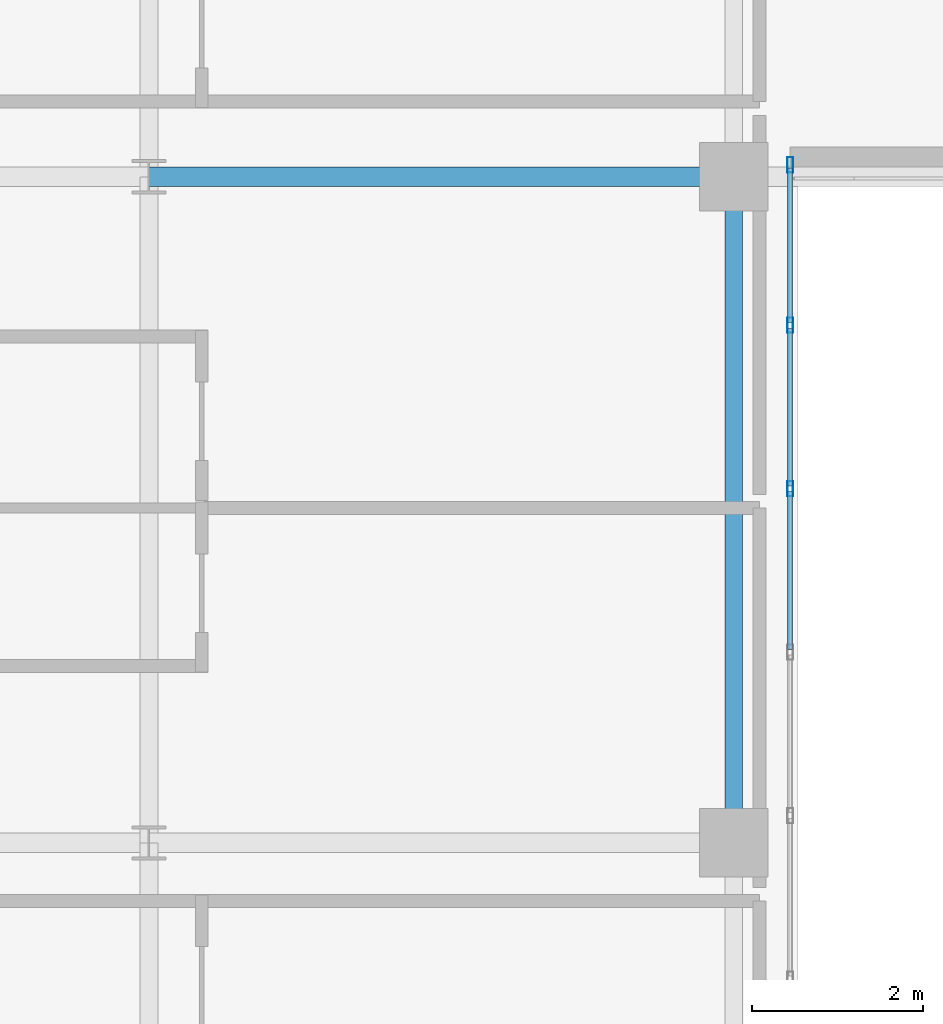
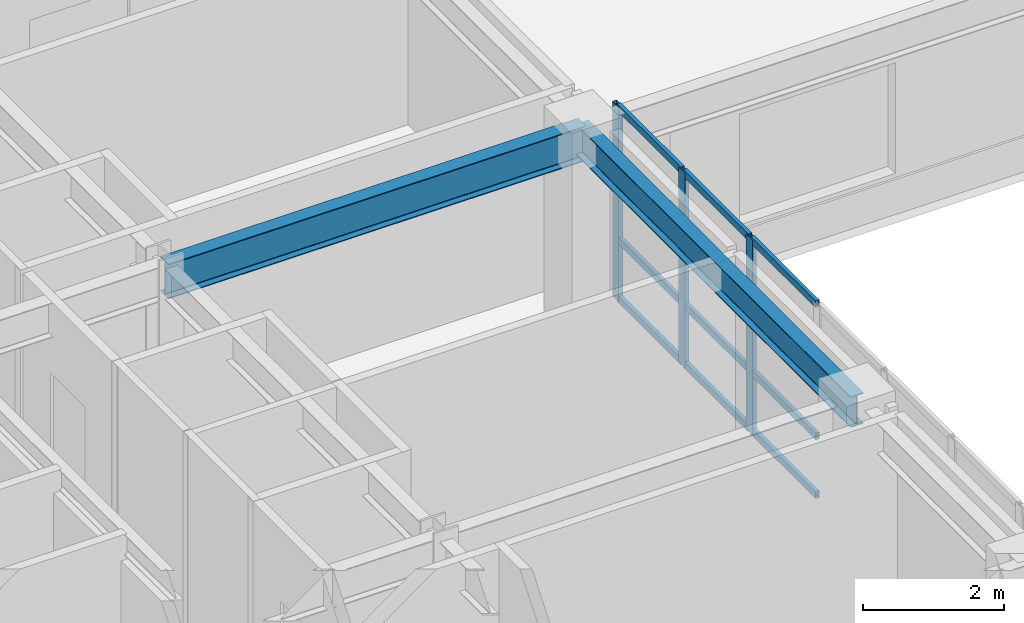
# One storey, part 5 of 21: 12 members, 2 beams, 1 element without a shape of its own.
"""IFC4 building model written with IfcOpenShell, lengths in metres."""

from ifc_helpers import new_model, si_unit, direction, frame, origin, origin_2d, place, context, subcontext, project, spatial, hollow_rectangle, i_section, extrude, source, transform, mapped, material, layer, layer_set, material_profile, profile_set, type_object, type_shapes, element, aggregate, save


model = new_model("IFC4")

# Units and contexts
model_context = context("Model", 3, precision=1e-05, world=origin(), true_north=direction((0.0, 1.0)))
body_context = subcontext(model_context, "Body", "Model", "MODEL_VIEW")
ifc_project = project(units=[si_unit("LENGTHUNIT", "METRE"), si_unit("AREAUNIT", "SQUARE_METRE"), si_unit("VOLUMEUNIT", "CUBIC_METRE"), si_unit("PLANEANGLEUNIT", "RADIAN"), si_unit("MASSUNIT", "GRAM", prefix="KILO")], contexts=[model_context])

# Site, building, storey
site_placement = place(None, origin())
site = spatial("IfcSite", under=ifc_project, at=site_placement, CompositionType="ELEMENT")
building_placement = place(site_placement, origin())
building = spatial("IfcBuilding", under=site, at=building_placement, Name="Tolvann Quenvar Hotel", CompositionType="ELEMENT")
storey_placement = place(building_placement, frame((0.0, 0.0, 161.25)))
storey = spatial("IfcBuildingStorey", under=building, at=storey_placement, Name="L42", CompositionType="ELEMENT", Elevation=161.25)

# Beams
ifc_material_1 = material(Name="Steel Grade 350", Category="steel")
ifc_material_profile_1 = material_profile(ifc_material_1, i_section(OverallWidth=0.208984375, OverallDepth=0.532958984375, WebThickness=0.01025390625, FlangeThickness=0.015625, FilletRadius=0.013916015625, at=origin_2d()), Name="530UB92")
ifc_profile_set_1 = profile_set([ifc_material_profile_1], Name="Steel Grade 350")
beam_type_1 = type_object("IfcBeamType", Name="BM_GIRD_530UB92", PredefinedType="BEAM", material=ifc_profile_set_1)
shared_shape_1 = source(origin(), body_context, "Body", "SweptSolid", [
    extrude(i_section(OverallWidth=0.208984375, OverallDepth=0.532958984375, WebThickness=0.01025390625, FlangeThickness=0.015625, FilletRadius=0.013916015625, at=origin_2d()), origin(), (0.0, 0.0, 1.0), 7.800048828125),
])
type_shapes(beam_type_1, [shared_shape_1])
beam_1_placement = place(storey_placement, frame((22.050048828125, 8.199951171875, 3.103515625), z_axis=(0.0, 1.0, 0.0), x_axis=(-1.0, 0.0, 0.0)))
element("IfcBeam", 1, at=beam_1_placement, inside=storey, type_object=beam_type_1, Name="BM-L42-NS-E3-E4", PredefinedType="BEAM", context=body_context, shape_type="MappedRepresentation", body=[
    mapped(shared_shape_1, transform((0.0, 0.0, 0.0), x_axis=(1.0, 0.0, 0.0), y_axis=(0.0, 1.0, 0.0), z_axis=(0.0, 0.0, 1.0), scale=1.0)),
])
ifc_material_profile_2 = material_profile(ifc_material_1, i_section(OverallWidth=0.22802734375, OverallDepth=0.60205078125, WebThickness=0.010498046875, FlangeThickness=0.014892578125, FilletRadius=0.013916015625, at=origin_2d()), Name="610UB101")
ifc_profile_set_2 = profile_set([ifc_material_profile_2], Name="Steel Grade 350")
beam_type_2 = type_object("IfcBeamType", Name="BM_GIRD_610UB101", PredefinedType="BEAM", material=ifc_profile_set_2)
shared_shape_2 = source(origin(), body_context, "Body", "SweptSolid", [
    extrude(i_section(OverallWidth=0.22802734375, OverallDepth=0.60205078125, WebThickness=0.010498046875, FlangeThickness=0.014892578125, FilletRadius=0.013916015625, at=origin_2d()), origin(), (0.0, 0.0, 1.0), 6.85009765625),
])
type_shapes(beam_type_2, [shared_shape_2])
beam_2_placement = place(storey_placement, frame((15.199951171875, 16.0, 3.069091796875), z_axis=(1.0, 0.0, 0.0), x_axis=(0.0, 1.0, 0.0)))
element("IfcBeam", 2, at=beam_2_placement, inside=storey, type_object=beam_type_2, Name="BM-L42-EW-4-D4-E4", PredefinedType="BEAM", context=body_context, shape_type="MappedRepresentation", body=[
    mapped(shared_shape_2, transform((0.0, 0.0, 0.0), x_axis=(1.0, 0.0, 0.0), y_axis=(0.0, 1.0, 0.0), z_axis=(0.0, 0.0, 1.0), scale=1.0)),
])

# Curtain wall, members
ifc_material_2 = material(Name="Thermally broken anodised architectural aluminium 6063-T6 and laminated low-E glass", Category="aluminium")
ifc_layer = layer(ifc_material_2, 0.179931640625)
ifc_layer_set = layer_set([ifc_layer], Name="Thermally broken anodised architectural aluminium 6063-T6 and laminated low-E glass")
curtain_wall_type = type_object("IfcCurtainWallType", Name="CW_SYS_SLOT_03", PredefinedType="USERDEFINED", material=ifc_layer_set)
curtain_wall_placement = place(storey_placement, origin())
curtain_wall = element("IfcCurtainWall", 3, at=curtain_wall_placement, inside=storey, type_object=curtain_wall_type, Name="Curtain Wall CW-SLOT-03 (CWR-L42-E05)", ObjectType="UNITISED CURTAIN WALL", PredefinedType="USERDEFINED")
ifc_material_3 = material(Name="Anodised architectural aluminium 6063-T6 framing", Category="aluminium")
ifc_material_profile_3 = material_profile(ifc_material_3, hollow_rectangle(XDim=0.070068359375, YDim=0.179931640625, WallThickness=0.00390625, at=origin_2d()), Name="180x70x4RHS")
ifc_profile_set_3 = profile_set([ifc_material_profile_3], Name="Anodised architectural aluminium 6063-T6 framing")
member_type_1 = type_object("IfcMemberType", Name="CW_MULL_180x70", PredefinedType="MULLION", material=ifc_profile_set_3)
shared_shape_3 = source(origin(), body_context, "Body", "SweptSolid", [
    extrude(hollow_rectangle(XDim=0.070068359375, YDim=0.179931640625, WallThickness=0.00390625, at=origin_2d()), origin(), (0.0, 0.0, 1.0), 3.3701171875),
])
type_shapes(member_type_1, [shared_shape_3])
member_1_placement = place(storey_placement, frame((22.7099609375, 12.346435546875, 0.0), z_axis=(0.0, 0.0, 1.0), x_axis=(-1.0, 0.0, 0.0)))
member_1 = element("IfcMember", 4, at=member_1_placement, type_object=member_type_1, Name="CW-SLOT-03 mullion 6", PredefinedType="MULLION", context=body_context, shape_type="MappedRepresentation", body=[
    mapped(shared_shape_3, transform((0.0, 0.0, 0.0), x_axis=(1.0, 0.0, 0.0), y_axis=(0.0, 1.0, 0.0), z_axis=(0.0, 0.0, 1.0), scale=1.0)),
])
member_2_placement = place(storey_placement, frame((22.7099609375, 14.2607421875, 0.0), z_axis=(0.0, 0.0, 1.0), x_axis=(-1.0, 0.0, 0.0)))
member_2 = element("IfcMember", 5, at=member_2_placement, type_object=member_type_1, Name="CW-SLOT-03 mullion 7", PredefinedType="MULLION", context=body_context, shape_type="MappedRepresentation", body=[
    mapped(shared_shape_3, transform((0.0, 0.0, 0.0), x_axis=(1.0, 0.0, 0.0), y_axis=(0.0, 1.0, 0.0), z_axis=(0.0, 0.0, 1.0), scale=1.0)),
])
member_3_placement = place(storey_placement, frame((22.7099609375, 16.139892578125, 0.0), z_axis=(0.0, 0.0, 1.0), x_axis=(-1.0, 0.0, 0.0)))
member_3 = element("IfcMember", 6, at=member_3_placement, type_object=member_type_1, Name="CW-SLOT-03 mullion 8", PredefinedType="MULLION", context=body_context, shape_type="MappedRepresentation", body=[
    mapped(shared_shape_3, transform((0.0, 0.0, 0.0), x_axis=(1.0, 0.0, 0.0), y_axis=(0.0, 1.0, 0.0), z_axis=(0.0, 0.0, 1.0), scale=1.0)),
])
ifc_material_profile_4 = material_profile(ifc_material_3, hollow_rectangle(XDim=0.06005859375, YDim=0.1201171875, WallThickness=0.00341796875, at=origin_2d()), Name="120x60x3.5RHS")
ifc_profile_set_4 = profile_set([ifc_material_profile_4], Name="Anodised architectural aluminium 6063-T6 framing")
member_type_2 = type_object("IfcMemberType", Name="CW_TRAN_120x60", PredefinedType="USERDEFINED", material=ifc_profile_set_4)
shared_shape_4 = source(origin(), body_context, "Body", "SweptSolid", [
    extrude(hollow_rectangle(XDim=0.06005859375, YDim=0.1201171875, WallThickness=0.00341796875, at=origin_2d()), origin(), (0.0, 0.0, 1.0), 1.809326171875),
])
member_4_placement = place(storey_placement, frame((22.7099609375, 14.295654296875, 0.030029296875), z_axis=(0.0, 1.0, 0.0), x_axis=(-1.0, 0.0, 0.0)))
member_4 = element("IfcMember", 7, at=member_4_placement, type_object=member_type_2, Name="CW-SLOT-03 transom 7.1", ObjectType="TRANSOM", PredefinedType="USERDEFINED", context=body_context, shape_type="MappedRepresentation", body=[
    mapped(shared_shape_4, transform((0.0, 0.0, 0.0), x_axis=(1.0, 0.0, 0.0), y_axis=(0.0, 1.0, 0.0), z_axis=(0.0, 0.0, 1.0), scale=1.0)),
])
member_5_placement = place(storey_placement, frame((22.7099609375, 14.295654296875, 1.050048828125), z_axis=(0.0, 1.0, 0.0), x_axis=(-1.0, 0.0, 0.0)))
member_5 = element("IfcMember", 8, at=member_5_placement, type_object=member_type_2, Name="CW-SLOT-03 transom 7.2", ObjectType="TRANSOM", PredefinedType="USERDEFINED", context=body_context, shape_type="MappedRepresentation", body=[
    mapped(shared_shape_4, transform((0.0, 0.0, 0.0), x_axis=(1.0, 0.0, 0.0), y_axis=(0.0, 1.0, 0.0), z_axis=(0.0, 0.0, 1.0), scale=1.0)),
])
member_6_placement = place(storey_placement, frame((22.7099609375, 14.295654296875, 3.340087890625), z_axis=(0.0, 1.0, 0.0), x_axis=(-1.0, 0.0, 0.0)))
member_6 = element("IfcMember", 9, at=member_6_placement, type_object=member_type_2, Name="CW-SLOT-03 transom 7.3", ObjectType="TRANSOM", PredefinedType="USERDEFINED", context=body_context, shape_type="MappedRepresentation", body=[
    mapped(shared_shape_4, transform((0.0, 0.0, 0.0), x_axis=(1.0, 0.0, 0.0), y_axis=(0.0, 1.0, 0.0), z_axis=(0.0, 0.0, 1.0), scale=1.0)),
])
shared_shape_5 = source(origin(), body_context, "Body", "SweptSolid", [
    extrude(hollow_rectangle(XDim=0.06005859375, YDim=0.1201171875, WallThickness=0.00341796875, at=origin_2d()), origin(), (0.0, 0.0, 1.0), 1.844482421875),
])
type_shapes(member_type_2, [shared_shape_4, shared_shape_5])
member_7_placement = place(storey_placement, frame((22.7099609375, 10.467041015625, 0.030029296875), z_axis=(0.0, 1.0, 0.0), x_axis=(-1.0, 0.0, 0.0)))
member_7 = element("IfcMember", 10, at=member_7_placement, type_object=member_type_2, Name="CW-SLOT-03 transom 5.1", ObjectType="TRANSOM", PredefinedType="USERDEFINED", context=body_context, shape_type="MappedRepresentation", body=[
    mapped(shared_shape_5, transform((0.0, 0.0, 0.0), x_axis=(1.0, 0.0, 0.0), y_axis=(0.0, 1.0, 0.0), z_axis=(0.0, 0.0, 1.0), scale=1.0)),
])
member_8_placement = place(storey_placement, frame((22.7099609375, 10.467041015625, 1.050048828125), z_axis=(0.0, 1.0, 0.0), x_axis=(-1.0, 0.0, 0.0)))
member_8 = element("IfcMember", 11, at=member_8_placement, type_object=member_type_2, Name="CW-SLOT-03 transom 5.2", ObjectType="TRANSOM", PredefinedType="USERDEFINED", context=body_context, shape_type="MappedRepresentation", body=[
    mapped(shared_shape_5, transform((0.0, 0.0, 0.0), x_axis=(1.0, 0.0, 0.0), y_axis=(0.0, 1.0, 0.0), z_axis=(0.0, 0.0, 1.0), scale=1.0)),
])
member_9_placement = place(storey_placement, frame((22.7099609375, 10.467041015625, 3.340087890625), z_axis=(0.0, 1.0, 0.0), x_axis=(-1.0, 0.0, 0.0)))
member_9 = element("IfcMember", 12, at=member_9_placement, type_object=member_type_2, Name="CW-SLOT-03 transom 5.3", ObjectType="TRANSOM", PredefinedType="USERDEFINED", context=body_context, shape_type="MappedRepresentation", body=[
    mapped(shared_shape_5, transform((0.0, 0.0, 0.0), x_axis=(1.0, 0.0, 0.0), y_axis=(0.0, 1.0, 0.0), z_axis=(0.0, 0.0, 1.0), scale=1.0)),
])
member_10_placement = place(storey_placement, frame((22.7099609375, 12.38134765625, 0.030029296875), z_axis=(0.0, 1.0, 0.0), x_axis=(-1.0, 0.0, 0.0)))
member_10 = element("IfcMember", 13, at=member_10_placement, type_object=member_type_2, Name="CW-SLOT-03 transom 6.1", ObjectType="TRANSOM", PredefinedType="USERDEFINED", context=body_context, shape_type="MappedRepresentation", body=[
    mapped(shared_shape_5, transform((0.0, 0.0, 0.0), x_axis=(1.0, 0.0, 0.0), y_axis=(0.0, 1.0, 0.0), z_axis=(0.0, 0.0, 1.0), scale=1.0)),
])
member_11_placement = place(storey_placement, frame((22.7099609375, 12.38134765625, 1.050048828125), z_axis=(0.0, 1.0, 0.0), x_axis=(-1.0, 0.0, 0.0)))
member_11 = element("IfcMember", 14, at=member_11_placement, type_object=member_type_2, Name="CW-SLOT-03 transom 6.2", ObjectType="TRANSOM", PredefinedType="USERDEFINED", context=body_context, shape_type="MappedRepresentation", body=[
    mapped(shared_shape_5, transform((0.0, 0.0, 0.0), x_axis=(1.0, 0.0, 0.0), y_axis=(0.0, 1.0, 0.0), z_axis=(0.0, 0.0, 1.0), scale=1.0)),
])
member_12_placement = place(storey_placement, frame((22.7099609375, 12.38134765625, 3.340087890625), z_axis=(0.0, 1.0, 0.0), x_axis=(-1.0, 0.0, 0.0)))
member_12 = element("IfcMember", 15, at=member_12_placement, type_object=member_type_2, Name="CW-SLOT-03 transom 6.3", ObjectType="TRANSOM", PredefinedType="USERDEFINED", context=body_context, shape_type="MappedRepresentation", body=[
    mapped(shared_shape_5, transform((0.0, 0.0, 0.0), x_axis=(1.0, 0.0, 0.0), y_axis=(0.0, 1.0, 0.0), z_axis=(0.0, 0.0, 1.0), scale=1.0)),
])
aggregate(curtain_wall, [member_1, member_2, member_3, member_7, member_8, member_9, member_10, member_11, member_12, member_4, member_5, member_6])

save(model, "model.ifc")
